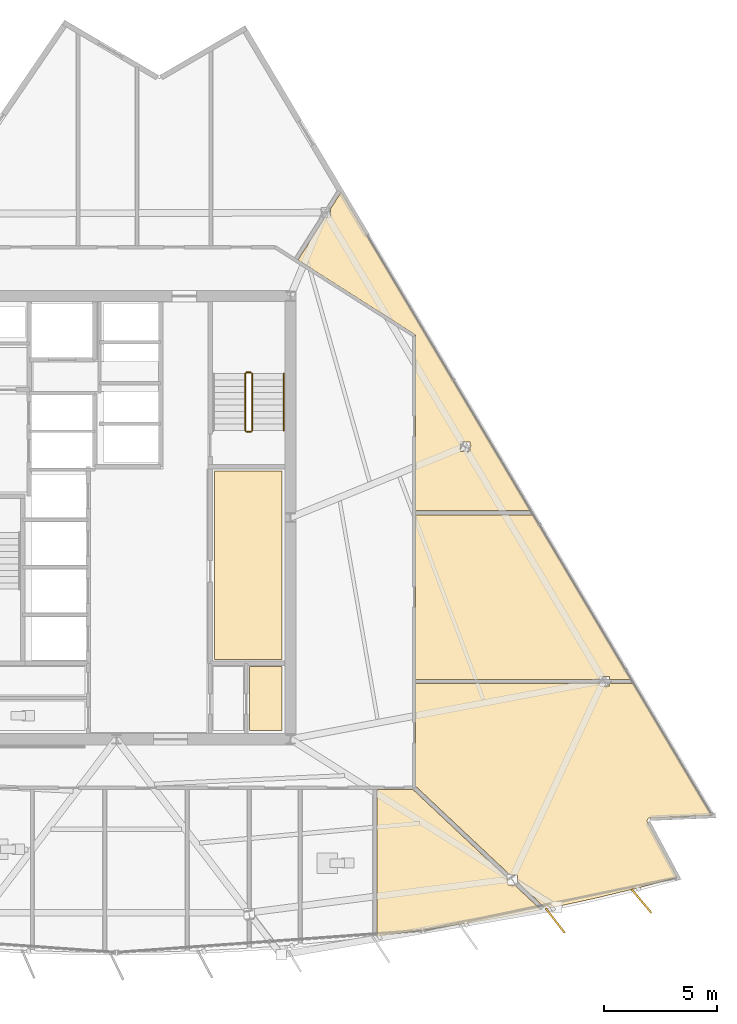
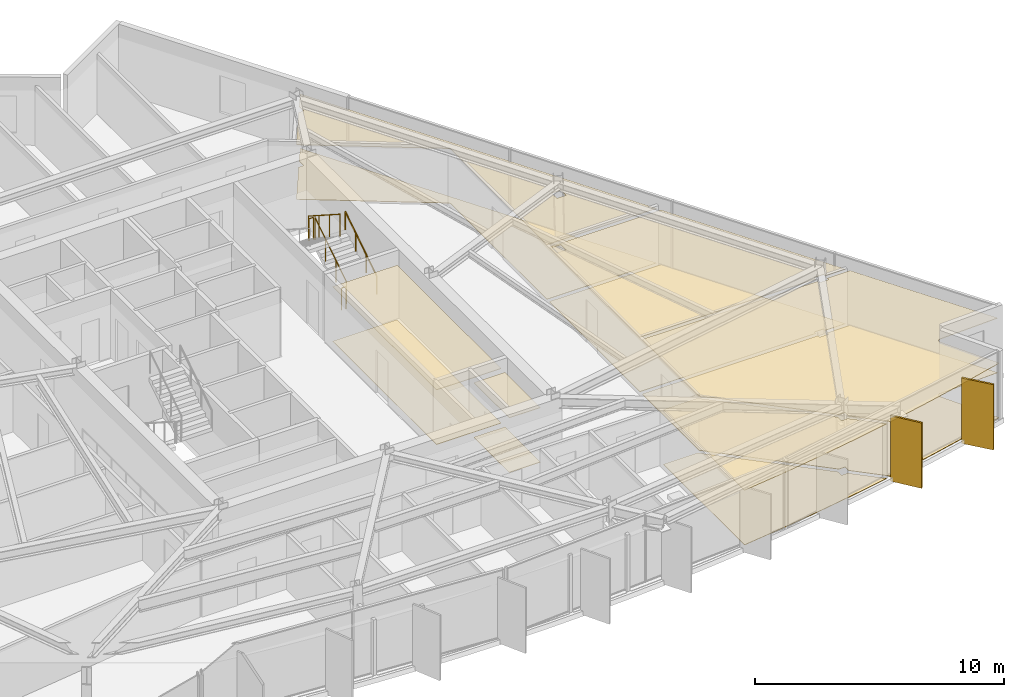
# One storey, part 13 of 15: 12 coverings, 5 railings, 2 shading devices.
"""IFC4 building model written with IfcOpenShell, lengths in metres."""

from ifc_helpers import new_model, si_unit, direction, frame, origin, origin_2d, place, context, subcontext, project, spatial, polyline, rectangle, circle, outline, extrude, material, layer, layer_set, type_object, element, save


model = new_model("IFC4")

# Units and contexts
model_context = context("Model", 3, precision=1e-05, world=origin(), true_north=direction((0.0, 1.0)))
body_context = subcontext(model_context, "Body", "Model", "MODEL_VIEW")
ifc_project = project(units=[si_unit("LENGTHUNIT", "METRE"), si_unit("AREAUNIT", "SQUARE_METRE"), si_unit("VOLUMEUNIT", "CUBIC_METRE"), si_unit("PLANEANGLEUNIT", "RADIAN"), si_unit("MASSUNIT", "GRAM", prefix="KILO")], contexts=[model_context])

# Site, building, storey
site_placement = place(None, origin())
site = spatial("IfcSite", under=ifc_project, at=site_placement, CompositionType="ELEMENT")
building_placement = place(site_placement, origin())
building = spatial("IfcBuilding", under=site, at=building_placement, Name="Savorim Split Tower", CompositionType="ELEMENT")
storey_placement = place(building_placement, frame((0.0, 0.0, 167.39990234375)))
storey = spatial("IfcBuildingStorey", under=building, at=storey_placement, Name="L44", CompositionType="ELEMENT", Elevation=167.39990234375)

# Coverings
ifc_material_1 = material(Name="Mineral Fibre Acoustic Ceiling")
ifc_layer_1 = layer(ifc_material_1, 0.02490234375)
ifc_layer_set_1 = layer_set([ifc_layer_1], Name="COV-CEIL-25")
covering_type_1 = type_object("IfcCoveringType", Name="COV-CEIL-25", PredefinedType="CEILING", material=ifc_layer_set_1)
covering_1_placement = place(storey_placement, frame((0.0, 0.0, 2.670166015625)))
element("IfcCovering", 1, at=covering_1_placement, inside=storey, type_object=covering_type_1, Name="L44 Shared Pantry and Linen Room Acoustic Ceiling", PredefinedType="CEILING", context=body_context, shape_type="SweptSolid", body=[
    extrude(outline(polyline([(4.330078125, 2.469970703125), (4.330078125, -5.8701171875), (7.320068359375, -5.8701171875), (7.320068359375, 2.469970703125), (4.330078125, 2.469970703125)])), origin(), (0.0, 0.0, 1.0), 0.02490234375),
])
covering_2_placement = place(storey_placement, frame((0.0, 0.0, 2.670166015625)))
element("IfcCovering", 2, at=covering_2_placement, inside=storey, type_object=covering_type_1, Name="L44 Recycling Chute Room Acoustic Ceiling", PredefinedType="CEILING", context=body_context, shape_type="SweptSolid", body=[
    extrude(outline(polyline([(5.8798828125, -6.179931640625), (5.8798828125, -9.02001953125), (7.320068359375, -9.02001953125), (7.320068359375, -6.179931640625), (5.8798828125, -6.179931640625)])), origin(), (0.0, 0.0, 1.0), 0.02490234375),
])
covering_3_placement = place(storey_placement, frame((0.0, 0.0, 2.670166015625)))
element("IfcCovering", 3, at=covering_3_placement, inside=storey, type_object=covering_type_1, Name="L44 Quiet Study Room Acoustic Ceiling", PredefinedType="CEILING", context=body_context, shape_type="SweptSolid", body=[
    extrude(outline(polyline([(11.6279296875, -18.1171875), (13.5537109375, -17.859619140625), (15.4736328125, -17.5625), (17.38720703125, -17.226318359375), (18.777099609375, -16.95263671875), (17.609619140625, -15.855224609375), (17.31494140625, -15.855224609375), (17.31494140625, -15.578369140625), (13.1337890625, -11.64794921875), (13.103759765625, -11.619873046875), (13.10009765625, -11.6201171875), (11.51708984375, -11.6201171875), (11.51708984375, -18.1298828125), (11.6279296875, -18.1171875)])), origin(), (0.0, 0.0, 1.0), 0.02490234375),
])
covering_4_placement = place(storey_placement, frame((0.0, 0.0, 2.670166015625)))
element("IfcCovering", 4, at=covering_4_placement, inside=storey, type_object=covering_type_1, Name="L44 Co-Working Commons Acoustic Ceiling", PredefinedType="CEILING", context=body_context, shape_type="SweptSolid", body=[
    extrude(outline(polyline([(23.5703125, -12.8935546875), (23.58154296875, -12.891357421875), (23.593017578125, -12.890380859375), (26.335205078125, -12.773681640625), (22.848876953125, -6.91064453125), (22.848876953125, -6.943603515625), (21.805908203125, -6.943603515625), (21.805908203125, -7.05810546875), (21.384765625, -7.05810546875), (21.384765625, -6.943603515625), (13.239990234375, -6.943603515625), (13.239990234375, -11.47998046875), (13.23974609375, -11.48681640625), (17.44140625, -15.436279296875), (17.736083984375, -15.436279296875), (17.736083984375, -15.713134765625), (18.912109375, -16.818603515625), (18.981201171875, -16.8837890625), (18.9482421875, -16.9189453125), (19.29345703125, -16.85107421875), (21.19140625, -16.436767578125), (23.080810546875, -15.98388671875), (24.814208984375, -15.530517578125), (23.492431640625, -13.06689453125), (23.4873046875, -13.056396484375), (23.4833984375, -13.045654296875), (23.480712890625, -13.034423828125), (23.478759765625, -13.023193359375), (23.47802734375, -13.01171875), (23.478515625, -13.0), (23.47998046875, -12.988525390625), (23.482666015625, -12.977294921875), (23.486328125, -12.96630859375), (23.4912109375, -12.955810546875), (23.496826171875, -12.94580078125), (23.50341796875, -12.936279296875), (23.510986328125, -12.927734375), (23.519287109375, -12.919677734375), (23.5283203125, -12.91259765625), (23.5380859375, -12.90625), (23.54833984375, -12.90087890625), (23.55908203125, -12.896728515625), (23.5703125, -12.8935546875)])), origin(), (0.0, 0.0, 1.0), 0.02490234375),
])
covering_5_placement = place(storey_placement, frame((0.0, 0.0, 2.670166015625)))
element("IfcCovering", 5, at=covering_5_placement, inside=storey, type_object=covering_type_1, Name="L44 Quiet Study Room Acoustic Ceiling", PredefinedType="CEILING", context=body_context, shape_type="SweptSolid", body=[
    extrude(outline(polyline([(21.805908203125, -6.63916015625), (21.805908203125, -6.753662109375), (22.75390625, -6.753662109375), (22.755615234375, -6.753662109375), (18.4296875, 0.52099609375), (13.239990234375, 0.521240234375), (13.239990234375, -6.753662109375), (21.384765625, -6.753662109375), (21.384765625, -6.63916015625), (21.805908203125, -6.63916015625)])), origin(), (0.0, 0.0, 1.0), 0.02490234375),
])
covering_6_placement = place(storey_placement, frame((0.0, 0.0, 2.670166015625)))
element("IfcCovering", 6, at=covering_6_placement, inside=storey, type_object=covering_type_1, Name="L44 Quiet Study Room Acoustic Ceiling", PredefinedType="CEILING", context=body_context, shape_type="SweptSolid", body=[
    extrude(outline(polyline([(13.2373046875, 8.427978515625), (13.2392578125, 8.4140625), (13.239990234375, 8.39990234375), (13.239990234375, 0.711181640625), (18.316650390625, 0.711181640625), (9.942138671875, 14.795166015625), (9.46923828125, 14.0517578125), (9.46923828125, 13.6884765625), (9.238037109375, 13.6884765625), (8.03076171875, 11.790283203125), (8.03076171875, 11.790283203125), (13.175048828125, 8.51806640625), (13.1865234375, 8.510009765625), (13.197265625, 8.500732421875), (13.206787109375, 8.490478515625), (13.21533203125, 8.479248046875), (13.22265625, 8.46728515625), (13.22900390625, 8.45458984375), (13.233642578125, 8.44140625), (13.2373046875, 8.427978515625)]), holes=[polyline([(15.6376953125, 3.315185546875), (15.6376953125, 3.734130859375), (15.216552734375, 3.734130859375), (15.216552734375, 3.315185546875), (15.6376953125, 3.315185546875)])]), origin(), (0.0, 0.0, 1.0), 0.02490234375),
])
ifc_material_2 = material(Name="Porcelain Stoneware Flooring", Category="masonry")
ifc_layer_2 = layer(ifc_material_2, 0.02001953125)
ifc_layer_set_2 = layer_set([ifc_layer_2], Name="COV-FLOR-20")
covering_type_2 = type_object("IfcCoveringType", Name="COV-FLOR-20", PredefinedType="FLOORING", material=ifc_layer_set_2)
covering_7_placement = place(storey_placement, origin())
element("IfcCovering", 7, at=covering_7_placement, inside=storey, type_object=covering_type_2, Name="L44 Shared Pantry and Linen Room Porcelain Flooring", PredefinedType="FLOORING", context=body_context, shape_type="SweptSolid", body=[
    extrude(outline(polyline([(4.330078125, 2.469970703125), (4.330078125, -5.8701171875), (7.320068359375, -5.8701171875), (7.320068359375, 2.469970703125), (4.330078125, 2.469970703125)])), origin(), (0.0, 0.0, 1.0), 0.02001953125),
])
covering_8_placement = place(storey_placement, origin())
element("IfcCovering", 8, at=covering_8_placement, inside=storey, type_object=covering_type_2, Name="L44 Recycling Chute Room Porcelain Flooring", PredefinedType="FLOORING", context=body_context, shape_type="SweptSolid", body=[
    extrude(outline(polyline([(5.8798828125, -6.179931640625), (5.8798828125, -9.02001953125), (7.320068359375, -9.02001953125), (7.320068359375, -6.179931640625), (5.8798828125, -6.179931640625)])), origin(), (0.0, 0.0, 1.0), 0.02001953125),
])
covering_9_placement = place(storey_placement, origin())
element("IfcCovering", 9, at=covering_9_placement, inside=storey, type_object=covering_type_2, Name="L44 Quiet Study Room Porcelain Flooring", PredefinedType="FLOORING", context=body_context, shape_type="SweptSolid", body=[
    extrude(outline(polyline([(11.6279296875, -18.1171875), (13.5537109375, -17.859619140625), (15.4736328125, -17.5625), (17.38720703125, -17.226318359375), (18.777099609375, -16.95263671875), (17.609619140625, -15.855224609375), (17.31494140625, -15.855224609375), (17.31494140625, -15.578369140625), (13.1337890625, -11.64794921875), (13.103759765625, -11.619873046875), (13.10009765625, -11.6201171875), (11.51708984375, -11.6201171875), (11.51708984375, -18.1298828125), (11.6279296875, -18.1171875)])), origin(), (0.0, 0.0, 1.0), 0.02001953125),
])
covering_10_placement = place(storey_placement, origin())
element("IfcCovering", 10, at=covering_10_placement, inside=storey, type_object=covering_type_2, Name="L44 Co-Working Commons Porcelain Flooring", PredefinedType="FLOORING", context=body_context, shape_type="SweptSolid", body=[
    extrude(outline(polyline([(23.5703125, -12.8935546875), (23.58154296875, -12.891357421875), (23.593017578125, -12.890380859375), (26.335205078125, -12.773681640625), (22.848876953125, -6.91064453125), (22.848876953125, -6.943603515625), (21.805908203125, -6.943603515625), (21.805908203125, -7.05810546875), (21.384765625, -7.05810546875), (21.384765625, -6.943603515625), (13.239990234375, -6.943603515625), (13.239990234375, -11.47998046875), (13.23974609375, -11.48681640625), (17.44140625, -15.436279296875), (17.736083984375, -15.436279296875), (17.736083984375, -15.713134765625), (18.912109375, -16.818603515625), (18.981201171875, -16.8837890625), (18.9482421875, -16.9189453125), (19.29345703125, -16.85107421875), (21.19140625, -16.436767578125), (23.080810546875, -15.98388671875), (24.814208984375, -15.530517578125), (23.492431640625, -13.06689453125), (23.4873046875, -13.056396484375), (23.4833984375, -13.045654296875), (23.480712890625, -13.034423828125), (23.478759765625, -13.023193359375), (23.47802734375, -13.01171875), (23.478515625, -13.0), (23.47998046875, -12.988525390625), (23.482666015625, -12.977294921875), (23.486328125, -12.96630859375), (23.4912109375, -12.955810546875), (23.496826171875, -12.94580078125), (23.50341796875, -12.936279296875), (23.510986328125, -12.927734375), (23.519287109375, -12.919677734375), (23.5283203125, -12.91259765625), (23.5380859375, -12.90625), (23.54833984375, -12.90087890625), (23.55908203125, -12.896728515625), (23.5703125, -12.8935546875)])), origin(), (0.0, 0.0, 1.0), 0.02001953125),
])
covering_11_placement = place(storey_placement, origin())
element("IfcCovering", 11, at=covering_11_placement, inside=storey, type_object=covering_type_2, Name="L44 Quiet Study Room Porcelain Flooring", PredefinedType="FLOORING", context=body_context, shape_type="SweptSolid", body=[
    extrude(outline(polyline([(21.805908203125, -6.63916015625), (21.805908203125, -6.753662109375), (22.75390625, -6.753662109375), (22.755615234375, -6.753662109375), (18.4296875, 0.52099609375), (13.239990234375, 0.521240234375), (13.239990234375, -6.753662109375), (21.384765625, -6.753662109375), (21.384765625, -6.63916015625), (21.805908203125, -6.63916015625)])), origin(), (0.0, 0.0, 1.0), 0.02001953125),
])
covering_12_placement = place(storey_placement, origin())
element("IfcCovering", 12, at=covering_12_placement, inside=storey, type_object=covering_type_2, Name="L44 Quiet Study Room Porcelain Flooring", PredefinedType="FLOORING", context=body_context, shape_type="SweptSolid", body=[
    extrude(outline(polyline([(13.2373046875, 8.427978515625), (13.2392578125, 8.4140625), (13.239990234375, 8.39990234375), (13.239990234375, 0.711181640625), (18.316650390625, 0.711181640625), (9.942138671875, 14.795166015625), (9.46923828125, 14.0517578125), (9.46923828125, 13.6884765625), (9.238037109375, 13.6884765625), (8.03076171875, 11.790283203125), (8.03076171875, 11.790283203125), (13.175048828125, 8.51806640625), (13.1865234375, 8.510009765625), (13.197265625, 8.500732421875), (13.206787109375, 8.490478515625), (13.21533203125, 8.479248046875), (13.22265625, 8.46728515625), (13.22900390625, 8.45458984375), (13.233642578125, 8.44140625), (13.2373046875, 8.427978515625)]), holes=[polyline([(15.6376953125, 3.315185546875), (15.6376953125, 3.734130859375), (15.216552734375, 3.734130859375), (15.216552734375, 3.315185546875), (15.6376953125, 3.315185546875)])]), origin(), (0.0, 0.0, 1.0), 0.02001953125),
])

# Railings
ifc_material_3 = material(Name="Galvanised Painted Steel Balustrade", Category="steel")
railing_type_1 = type_object("IfcRailingType", Name="RLG-HR-900", PredefinedType="HANDRAIL", material=ifc_material_3)
railing_1_placement = place(storey_placement, frame((7.39990234375, 4.25, 0.18017578125)))
element("IfcRailing", 13, at=railing_1_placement, inside=storey, type_object=railing_type_1, Name="L44 ST-2 stair handrail 1", PredefinedType="HANDRAIL", context=body_context, shape_type="SweptSolid", body=[
    extrude(circle(Radius=0.02392578125, at=origin_2d()), frame((0.0, 0.0, 0.8759765625), z_axis=(0.0, 0.841199657755, 0.540724639528), x_axis=(-1.0, 0.0, 0.0)), (0.0, 0.0, 1.0), 2.995849609375),
    extrude(circle(Radius=0.02099609375, at=origin_2d()), origin(), (0.0, 0.0, 1.0), 0.851806640625),
    extrude(circle(Radius=0.02099609375, at=origin_2d()), frame((0.0, 0.840087890625, 0.5400390625)), (0.0, 0.0, 1.0), 0.851806640625),
    extrude(circle(Radius=0.02099609375, at=origin_2d()), frame((0.0, 1.679931640625, 1.079833984375)), (0.0, 0.0, 1.0), 0.851806640625),
    extrude(circle(Radius=0.02099609375, at=origin_2d()), frame((0.0, 2.52001953125, 1.619873046875)), (0.0, 0.0, 1.0), 0.851806640625),
])
railing_type_2 = type_object("IfcRailingType", Name="RLG-STG-1100", PredefinedType="BALUSTRADE", material=ifc_material_3)
railing_2_placement = place(storey_placement, frame((6.0, 4.25, 0.18017578125)))
element("IfcRailing", 14, at=railing_2_placement, inside=storey, type_object=railing_type_2, Name="L44 ST-2 stair guard 1", PredefinedType="BALUSTRADE", context=body_context, shape_type="SweptSolid", body=[
    extrude(circle(Radius=0.02392578125, at=origin_2d()), frame((0.0, 0.0, 1.076171875), z_axis=(0.0, 0.841199657755, 0.540724639528), x_axis=(-1.0, 0.0, 0.0)), (0.0, 0.0, 1.0), 2.995849609375),
    extrude(circle(Radius=0.02099609375, at=origin_2d()), origin(), (0.0, 0.0, 1.0), 1.052001953125),
    extrude(circle(Radius=0.02099609375, at=origin_2d()), frame((0.0, 0.840087890625, 0.5400390625)), (0.0, 0.0, 1.0), 1.052001953125),
    extrude(circle(Radius=0.02099609375, at=origin_2d()), frame((0.0, 1.679931640625, 1.079833984375)), (0.0, 0.0, 1.0), 1.052001953125),
    extrude(circle(Radius=0.02099609375, at=origin_2d()), frame((0.0, 2.52001953125, 1.619873046875)), (0.0, 0.0, 1.0), 1.052001953125),
])
railing_3_placement = place(storey_placement, frame((5.949951171875, 6.820068359375, 1.800048828125)))
element("IfcRailing", 15, at=railing_3_placement, inside=storey, type_object=railing_type_2, Name="L44 ST-2 stair guard 2", PredefinedType="BALUSTRADE", context=body_context, shape_type="SweptSolid", body=[
    extrude(circle(Radius=0.02392578125, at=origin_2d()), frame((0.0, 0.0, 1.076171875), z_axis=(-1.0, 0.0, 0.0), x_axis=(0.0, -1.0, 0.0)), (0.0, 0.0, 1.0), 0.199951171875),
    extrude(circle(Radius=0.02099609375, at=origin_2d()), origin(), (0.0, 0.0, 1.0), 1.052001953125),
    extrude(circle(Radius=0.02099609375, at=origin_2d()), frame((-0.199951171875, 0.0, 0.0)), (0.0, 0.0, 1.0), 1.052001953125),
])
railing_4_placement = place(storey_placement, frame((5.699951171875, 6.77001953125, 1.97998046875)))
element("IfcRailing", 16, at=railing_4_placement, inside=storey, type_object=railing_type_2, Name="L44 ST-2 stair guard 3", PredefinedType="BALUSTRADE", context=body_context, shape_type="SweptSolid", body=[
    extrude(circle(Radius=0.02392578125, at=origin_2d()), frame((0.0, 0.0, 1.076171875), z_axis=(0.0, -0.841162588446, 0.540782303519), x_axis=(1.0, 0.0, 0.0)), (0.0, 0.0, 1.0), 2.995849609375),
    extrude(circle(Radius=0.02099609375, at=origin_2d()), origin(), (0.0, 0.0, 1.0), 1.052001953125),
    extrude(circle(Radius=0.02099609375, at=origin_2d()), frame((0.0, -0.840087890625, 0.5400390625)), (0.0, 0.0, 1.0), 1.052001953125),
    extrude(circle(Radius=0.02099609375, at=origin_2d()), frame((0.0, -1.679931640625, 1.080078125)), (0.0, 0.0, 1.0), 1.052001953125),
    extrude(circle(Radius=0.02099609375, at=origin_2d()), frame((0.0, -2.52001953125, 1.6201171875)), (0.0, 0.0, 1.0), 1.052001953125),
])
railing_5_placement = place(storey_placement, frame((5.949951171875, 4.199951171875, 0.0)))
element("IfcRailing", 17, at=railing_5_placement, inside=storey, type_object=railing_type_2, Name="L44 ST-2 stair guard 4", PredefinedType="BALUSTRADE", context=body_context, shape_type="SweptSolid", body=[
    extrude(circle(Radius=0.02392578125, at=origin_2d()), frame((0.0, 0.0, 1.076171875), z_axis=(-1.0, 0.0, 0.0), x_axis=(0.0, -1.0, 0.0)), (0.0, 0.0, 1.0), 0.199951171875),
    extrude(circle(Radius=0.02099609375, at=origin_2d()), origin(), (0.0, 0.0, 1.0), 1.052001953125),
    extrude(circle(Radius=0.02099609375, at=origin_2d()), frame((-0.199951171875, 0.0, 0.0)), (0.0, 0.0, 1.0), 1.052001953125),
])

# Shading devices
ifc_material_4 = material(Name="Terracotta Ceramic-Coated Aluminium Fin", Category="masonry")
shading_device_type = type_object("IfcShadingDeviceType", Name="SHD-FIN-1360", PredefinedType="USERDEFINED", material=ifc_material_4)
for number, where, z_axis, x_axis, name in (
    (18, (19.41455078125, -17.4345703125, -0.19970703125), (0.0, 0.0, 1.0), (0.611868076908, -0.790959832394, 0.0), "L44 Sawtooth Shading Fin 12"),
    (19, (23.2255859375, -16.56201171875, -0.19970703125), (0.0, 0.0, 1.0), (0.643719022682, -0.765261928909, 0.0), "L44 Sawtooth Shading Fin 13"),
):
    element("IfcShadingDevice", number, at=place(storey_placement, frame(where, z_axis=z_axis, x_axis=x_axis)), inside=storey, type_object=shading_device_type, Name=name, ObjectType="FIN", PredefinedType="USERDEFINED", context=body_context, shape_type="SweptSolid", body=[
        extrude(rectangle(XDim=1.360107421875, YDim=0.080078125, at=origin_2d()), origin(), (0.0, 0.0, 1.0), 3.199951171875),
    ])

save(model, "model.ifc")
